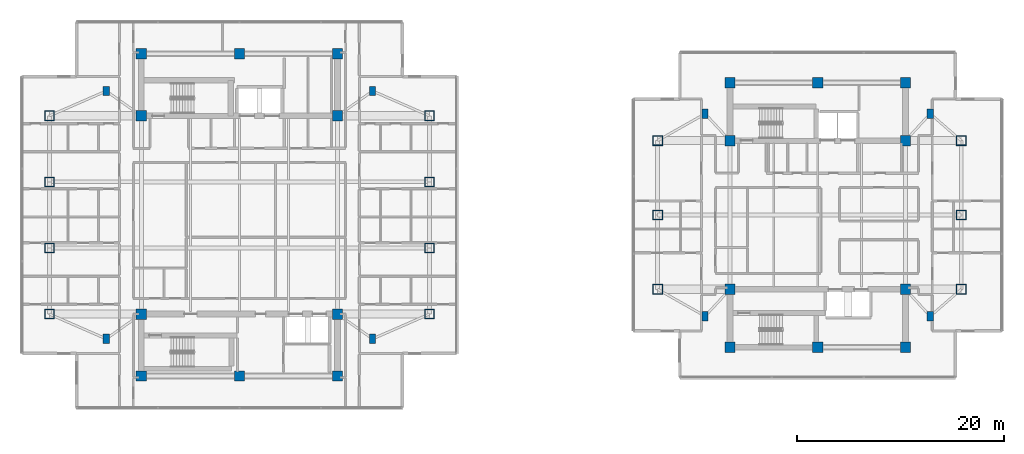
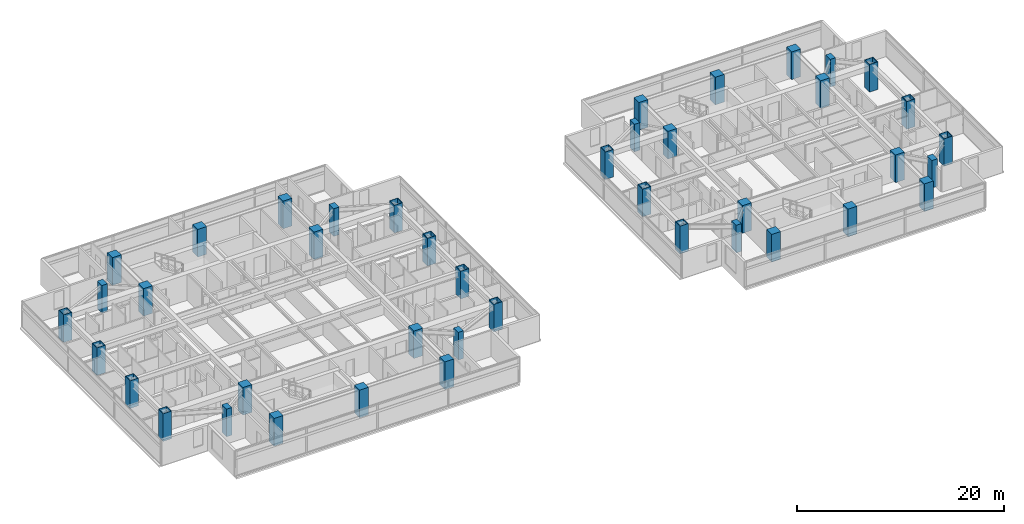
# One storey, part 1 of 26: 42 columns.
"""IFC4 building model written with IfcOpenShell, lengths in metres."""

from ifc_helpers import new_model, si_unit, direction, frame, origin, origin_2d, place, context, subcontext, project, spatial, rectangle, hollow_rectangle, extrude, material, material_profile, profile_set, type_object, element, save


model = new_model("IFC4")

# Units and contexts
model_context = context("Model", 3, precision=1e-05, world=origin(), true_north=direction((0.0, 1.0)))
body_context = subcontext(model_context, "Body", "Model", "MODEL_VIEW")
ifc_project = project(units=[si_unit("LENGTHUNIT", "METRE"), si_unit("AREAUNIT", "SQUARE_METRE"), si_unit("VOLUMEUNIT", "CUBIC_METRE"), si_unit("PLANEANGLEUNIT", "RADIAN"), si_unit("MASSUNIT", "GRAM", prefix="KILO")], contexts=[model_context])

# Site, building, storey
site_placement = place(None, origin())
site = spatial("IfcSite", under=ifc_project, at=site_placement, CompositionType="ELEMENT")
building_placement = place(site_placement, origin())
building = spatial("IfcBuilding", under=site, at=building_placement, Name="Mirazonda Arch Towers", CompositionType="ELEMENT")
storey_placement = place(building_placement, frame((0.0, 0.0, 170.64990234375)))
storey = spatial("IfcBuildingStorey", under=building, at=storey_placement, Name="L48", CompositionType="ELEMENT", Elevation=170.64990234375)

# Columns
ifc_material_1 = material(Name="Concrete C50/60", Category="concrete")
ifc_material_profile_1 = material_profile(ifc_material_1, rectangle(XDim=1.0, YDim=1.0, at=origin_2d()), Name="RC1000x1000")
ifc_profile_set_1 = profile_set([ifc_material_profile_1], Name="Concrete C50/60")
column_type_1 = type_object("IfcColumnType", Name="COL-INT-RC1000x1000", PredefinedType="COLUMN", material=ifc_profile_set_1)
for number, where, z_axis, x_axis, name in (
    (1, (11.0, 12.39990234375, 0.0), (0.0, 0.0, 1.0), (1.0, 0.0, 0.0), "L48 T1 Core Column 01"),
    (2, (20.5, 12.39990234375, 0.0), (0.0, 0.0, 1.0), (1.0, 0.0, 0.0), "L48 T1 Core Column 02"),
    (3, (30.0, 12.39990234375, 0.0), (0.0, 0.0, 1.0), (1.0, 0.0, 0.0), "L48 T1 Core Column 03"),
    (4, (11.0, 18.39990234375, 0.0), (0.0, 0.0, 1.0), (1.0, 0.0, 0.0), "L48 T1 Core Column 04"),
    (5, (30.0, 18.39990234375, 0.0), (0.0, 0.0, 1.0), (1.0, 0.0, 0.0), "L48 T1 Core Column 05"),
    (6, (11.0, 37.60009765625, 0.0), (0.0, 0.0, 1.0), (1.0, 0.0, 0.0), "L48 T1 Core Column 06"),
    (7, (30.0, 37.60009765625, 0.0), (0.0, 0.0, 1.0), (1.0, 0.0, 0.0), "L48 T1 Core Column 07"),
    (8, (11.0, 43.60009765625, 0.0), (0.0, 0.0, 1.0), (1.0, 0.0, 0.0), "L48 T1 Core Column 08"),
    (9, (20.5, 43.60009765625, 0.0), (0.0, 0.0, 1.0), (1.0, 0.0, 0.0), "L48 T1 Core Column 09"),
    (10, (30.0, 43.60009765625, 0.0), (0.0, 0.0, 1.0), (1.0, 0.0, 0.0), "L48 T1 Core Column 10"),
    (11, (68.0, 15.199951171875, 0.0), (0.0, 0.0, 1.0), (1.0, 0.0, 0.0), "L48 T2 Core Column 01"),
    (12, (76.5, 15.199951171875, 0.0), (0.0, 0.0, 1.0), (1.0, 0.0, 0.0), "L48 T2 Core Column 02"),
    (13, (85.0, 15.199951171875, 0.0), (0.0, 0.0, 1.0), (1.0, 0.0, 0.0), "L48 T2 Core Column 03"),
    (14, (68.0, 20.800048828125, 0.0), (0.0, 0.0, 1.0), (1.0, 0.0, 0.0), "L48 T2 Core Column 04"),
    (15, (85.0, 20.800048828125, 0.0), (0.0, 0.0, 1.0), (1.0, 0.0, 0.0), "L48 T2 Core Column 05"),
    (16, (68.0, 35.199951171875, 0.0), (0.0, 0.0, 1.0), (1.0, 0.0, 0.0), "L48 T2 Core Column 06"),
    (17, (85.0, 35.199951171875, 0.0), (0.0, 0.0, 1.0), (1.0, 0.0, 0.0), "L48 T2 Core Column 07"),
    (18, (68.0, 40.800048828125, 0.0), (0.0, 0.0, 1.0), (1.0, 0.0, 0.0), "L48 T2 Core Column 08"),
    (19, (76.5, 40.800048828125, 0.0), (0.0, 0.0, 1.0), (1.0, 0.0, 0.0), "L48 T2 Core Column 09"),
    (20, (85.0, 40.800048828125, 0.0), (0.0, 0.0, 1.0), (1.0, 0.0, 0.0), "L48 T2 Core Column 10"),
):
    element("IfcColumn", number, at=place(storey_placement, frame(where, z_axis=z_axis, x_axis=x_axis)), inside=storey, type_object=column_type_1, Name=name, PredefinedType="COLUMN", context=body_context, shape_type="SweptSolid", body=[
        extrude(rectangle(XDim=1.0, YDim=1.0, at=origin_2d()), origin(), (0.0, 0.0, 1.0), 3.25),
    ])
ifc_material_2 = material(Name="Steel ASTM A572 Grade 50", Category="steel")
ifc_material_profile_2 = material_profile(ifc_material_2, hollow_rectangle(XDim=0.949951171875, YDim=0.949951171875, WallThickness=0.050048828125, at=origin_2d()), Name="BOX950x950x50")
ifc_profile_set_2 = profile_set([ifc_material_profile_2], Name="Steel ASTM A572 Grade 50")
column_type_2 = type_object("IfcColumnType", Name="MCOL-EXT-BOX950x950x50", PredefinedType="COLUMN", material=ifc_profile_set_2)
for number, where, z_axis, x_axis, name in (
    (21, (2.10009765625, 18.39990234375, 0.0), (0.0, 0.0, 1.0), (1.0, 0.0, 0.0), "L48 T1 Composite Mega-Column 01"),
    (22, (2.10009765625, 24.800048828125, 0.0), (0.0, 0.0, 1.0), (1.0, 0.0, 0.0), "L48 T1 Composite Mega-Column 02"),
    (23, (2.10009765625, 31.199951171875, 0.0), (0.0, 0.0, 1.0), (1.0, 0.0, 0.0), "L48 T1 Composite Mega-Column 03"),
    (24, (2.10009765625, 37.60009765625, 0.0), (0.0, 0.0, 1.0), (1.0, 0.0, 0.0), "L48 T1 Composite Mega-Column 04"),
    (25, (38.89990234375, 18.39990234375, 0.0), (0.0, 0.0, 1.0), (1.0, 0.0, 0.0), "L48 T1 Composite Mega-Column 05"),
    (26, (38.89990234375, 24.800048828125, 0.0), (0.0, 0.0, 1.0), (1.0, 0.0, 0.0), "L48 T1 Composite Mega-Column 06"),
    (27, (38.89990234375, 31.199951171875, 0.0), (0.0, 0.0, 1.0), (1.0, 0.0, 0.0), "L48 T1 Composite Mega-Column 07"),
    (28, (38.89990234375, 37.60009765625, 0.0), (0.0, 0.0, 1.0), (1.0, 0.0, 0.0), "L48 T1 Composite Mega-Column 08"),
    (29, (61.0, 20.800048828125, 0.0), (0.0, 0.0, 1.0), (1.0, 0.0, 0.0), "L48 T2 Composite Mega-Column 01"),
    (30, (61.0, 28.0, 0.0), (0.0, 0.0, 1.0), (1.0, 0.0, 0.0), "L48 T2 Composite Mega-Column 02"),
    (31, (61.0, 35.199951171875, 0.0), (0.0, 0.0, 1.0), (1.0, 0.0, 0.0), "L48 T2 Composite Mega-Column 03"),
    (32, (90.39990234375, 20.800048828125, 0.0), (0.0, 0.0, 1.0), (1.0, 0.0, 0.0), "L48 T2 Composite Mega-Column 04"),
    (33, (90.39990234375, 28.0, 0.0), (0.0, 0.0, 1.0), (1.0, 0.0, 0.0), "L48 T2 Composite Mega-Column 05"),
    (34, (90.39990234375, 35.199951171875, 0.0), (0.0, 0.0, 1.0), (1.0, 0.0, 0.0), "L48 T2 Composite Mega-Column 06"),
):
    element("IfcColumn", number, at=place(storey_placement, frame(where, z_axis=z_axis, x_axis=x_axis)), inside=storey, type_object=column_type_2, Name=name, PredefinedType="COLUMN", context=body_context, shape_type="SweptSolid", body=[
        extrude(hollow_rectangle(XDim=0.949951171875, YDim=0.949951171875, WallThickness=0.050048828125, at=origin_2d()), origin(), (0.0, 0.0, 1.0), 3.25),
    ])
ifc_material_profile_3 = material_profile(ifc_material_1, rectangle(XDim=0.60009765625, YDim=0.89990234375, at=origin_2d()), Name="RC900x600")
ifc_profile_set_3 = profile_set([ifc_material_profile_3], Name="Concrete C50/60")
column_type_3 = type_object("IfcColumnType", Name="PIL-EXT-RC900x600", PredefinedType="PILASTER", material=ifc_profile_set_3)
for number, where, z_axis, x_axis, name in (
    (35, (7.60009765625, 16.0, 0.0), (0.0, 0.0, 1.0), (1.0, 0.0, 0.0), "L48 T1 Corner Pilaster 01"),
    (36, (33.39990234375, 16.0, 0.0), (0.0, 0.0, 1.0), (1.0, 0.0, 0.0), "L48 T1 Corner Pilaster 02"),
    (37, (7.60009765625, 40.0, 0.0), (0.0, 0.0, 1.0), (1.0, 0.0, 0.0), "L48 T1 Corner Pilaster 03"),
    (38, (33.39990234375, 40.0, 0.0), (0.0, 0.0, 1.0), (1.0, 0.0, 0.0), "L48 T1 Corner Pilaster 04"),
    (39, (65.60009765625, 18.199951171875, 0.0), (0.0, 0.0, 1.0), (1.0, 0.0, 0.0), "L48 T2 Corner Pilaster 01"),
    (40, (87.39990234375, 18.199951171875, 0.0), (0.0, 0.0, 1.0), (1.0, 0.0, 0.0), "L48 T2 Corner Pilaster 02"),
    (41, (65.60009765625, 37.800048828125, 0.0), (0.0, 0.0, 1.0), (1.0, 0.0, 0.0), "L48 T2 Corner Pilaster 03"),
    (42, (87.39990234375, 37.800048828125, 0.0), (0.0, 0.0, 1.0), (1.0, 0.0, 0.0), "L48 T2 Corner Pilaster 04"),
):
    element("IfcColumn", number, at=place(storey_placement, frame(where, z_axis=z_axis, x_axis=x_axis)), inside=storey, type_object=column_type_3, Name=name, PredefinedType="PILASTER", context=body_context, shape_type="SweptSolid", body=[
        extrude(rectangle(XDim=0.60009765625, YDim=0.89990234375, at=origin_2d()), origin(), (0.0, 0.0, 1.0), 3.25),
    ])

save(model, "model.ifc")
